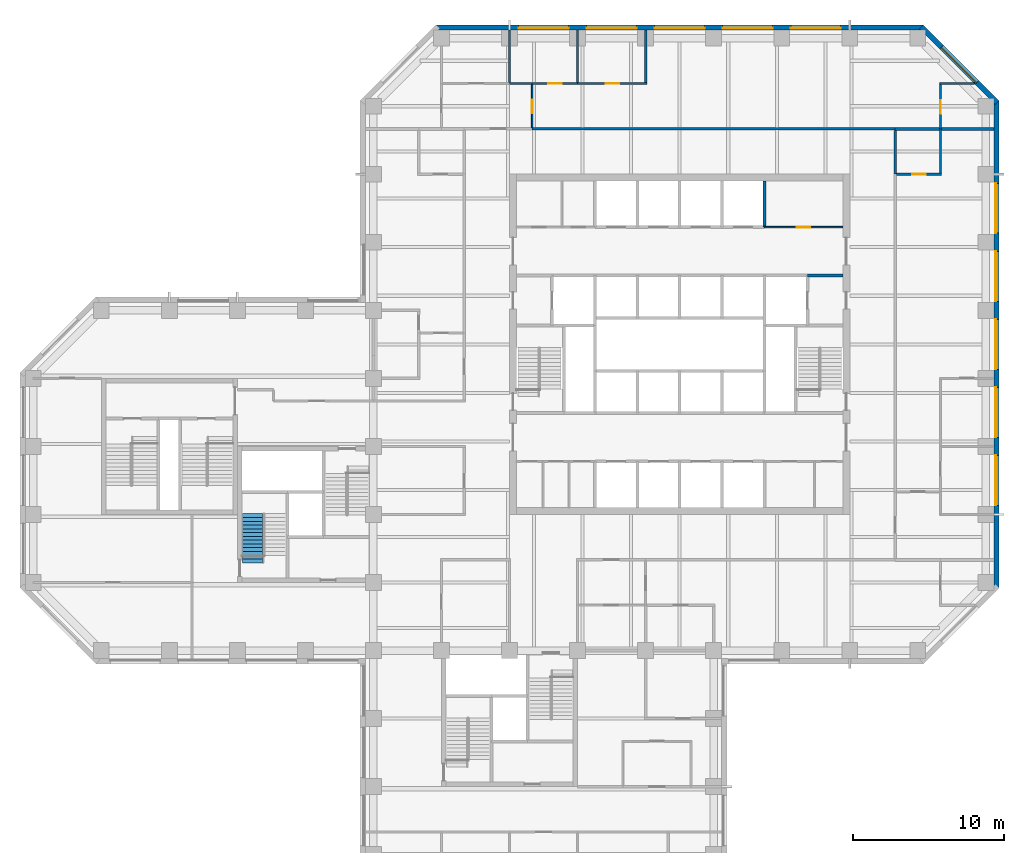
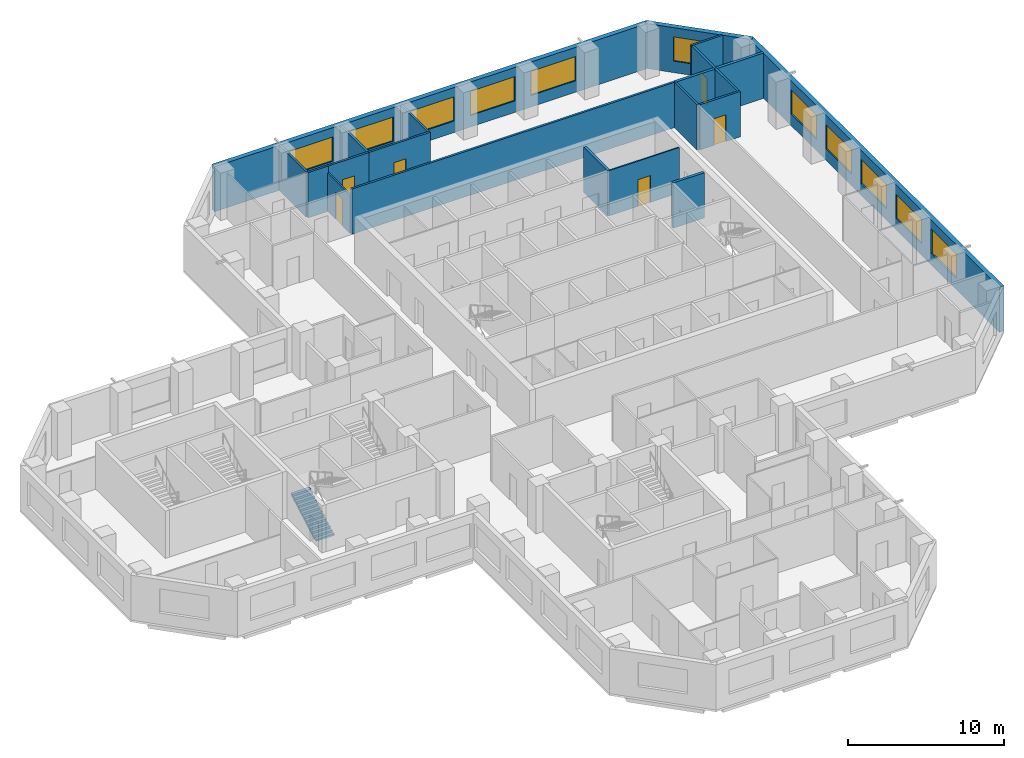
# One storey, part 9 of 11: 21 walls, 11 windows, 6 doors, 1 stair flight, 17 openings, 1 element without a shape of its own.
"""IFC4 building model written with IfcOpenShell, lengths in metres."""

from ifc_helpers import new_model, si_unit, direction, frame, frame_2d, origin, place, context, subcontext, project, spatial, polyline, rectangle, outline, extrude, material, layer, layer_set, constituent, constituent_set, type_object, element, fill, aggregate, save


model = new_model("IFC4")

# Units and contexts
model_context = context("Model", 3, precision=1e-05, world=origin(), true_north=direction((0.0, 1.0)))
body_context = subcontext(model_context, "Body", "Model", "MODEL_VIEW")
ifc_project = project(units=[si_unit("LENGTHUNIT", "METRE"), si_unit("AREAUNIT", "SQUARE_METRE"), si_unit("VOLUMEUNIT", "CUBIC_METRE"), si_unit("PLANEANGLEUNIT", "RADIAN"), si_unit("MASSUNIT", "GRAM", prefix="KILO")], contexts=[model_context])

# Site, building, storey
site_placement = place(None, origin())
site = spatial("IfcSite", under=ifc_project, at=site_placement, CompositionType="ELEMENT")
building_placement = place(site_placement, origin())
building = spatial("IfcBuilding", under=site, at=building_placement, Name="Quoin Convention Tower", CompositionType="ELEMENT")
storey_placement = place(building_placement, frame((0.0, 0.0, 78.89990234375)))
storey = spatial("IfcBuildingStorey", under=building, at=storey_placement, Name="L20", CompositionType="ELEMENT", Elevation=78.89990234375)

# Wall
ifc_material_1 = material(Name="Plasterboard")
ifc_layer_1 = layer(ifc_material_1, 0.012451171875, Name="Finish")
ifc_material_2 = material(Name="Steel stud framing", Category="steel")
ifc_layer_2 = layer(ifc_material_2, 0.125, Name="Structure")
ifc_layer_3 = layer(ifc_material_1, 0.012451171875, Name="Finish")
ifc_layer_set_1 = layer_set([ifc_layer_1, ifc_layer_2, ifc_layer_3], Name="Steel stud framing")
wall_type_1 = type_object("IfcWallType", Name="Acoustic partition 150", PredefinedType="PARTITIONING", material=ifc_layer_set_1)
wall_1_placement = place(storey_placement, frame((45.0, 78.0, 0.0), z_axis=(0.0, 0.0, 1.0), x_axis=(1.0, 0.0, 0.0)))
element("IfcWall", 1, at=wall_1_placement, inside=storey, type_object=wall_type_1, Name="pw-L20-059", PredefinedType="PARTITIONING", context=body_context, shape_type="SweptSolid", body=[
    extrude(rectangle(XDim=1.5, YDim=0.14990234375, at=frame_2d((0.75, 0.0))), origin(), (0.0, 0.0, 1.0), 3.550048828125),
])

# Wall, opening, door
wall_2_placement = place(storey_placement, frame((46.5, 78.0, 0.0), z_axis=(0.0, 0.0, 1.0), x_axis=(1.0, 0.0, 0.0)))
wall_2 = element("IfcWall", 2, at=wall_2_placement, inside=storey, type_object=wall_type_1, Name="pw-L20-060", PredefinedType="PARTITIONING", context=body_context, shape_type="SweptSolid", body=[
    extrude(rectangle(XDim=3.0, YDim=0.14990234375, at=frame_2d((1.5, 0.0))), origin(), (0.0, 0.0, 1.0), 3.550048828125),
])
opening_1_placement = place(wall_2_placement, frame((1.050048828125, 0.0, 0.0)))
opening_1 = element("IfcOpeningElement", 3, at=opening_1_placement, cuts=wall_2, Name="Opening DOL1-20", PredefinedType="OPENING", context=body_context, shape_type="SweptSolid", body=[
    extrude(rectangle(XDim=0.89990234375, YDim=2.10009765625, at=frame_2d((0.449951171875, 1.050048828125))), frame((0.0, 0.0849609375, 0.0), z_axis=(0.0, -1.0, 0.0), x_axis=(1.0, 0.0, 0.0)), (0.0, 0.0, 1.0), 0.169921875),
])
ifc_material_3 = material(Name="Steel door leaf", Category="steel")
door_type_1 = type_object("IfcDoorType", Name="Office door 900 x 2100", OperationType="SINGLE_SWING_RIGHT", PredefinedType="DOOR", material=ifc_material_3)
door_1_placement = place(opening_1_placement, frame((0.89990234375, 0.0, 0.0), z_axis=(0.0, 0.0, 1.0), x_axis=(-1.0, 0.0, 0.0)))
door_1 = element("IfcDoor", 4, at=door_1_placement, inside=storey, type_object=door_type_1, Name="dr-L20-38", OperationType="SINGLE_SWING_LEFT", OverallHeight=2.10009765625, OverallWidth=0.89990234375, PredefinedType="DOOR", context=body_context, shape_type="SweptSolid", body=[
    extrude(rectangle(XDim=0.89990234375, YDim=2.10009765625, at=frame_2d((0.449951171875, 1.050048828125))), frame((0.0, 0.02490234375, 0.0), z_axis=(0.0, -1.0, 0.0), x_axis=(1.0, 0.0, 0.0)), (0.0, 0.0, 1.0), 0.050048828125),
])
fill(opening_1, door_1)

wall_3_placement = place(storey_placement, frame((49.5, 78.0, 0.0), z_axis=(0.0, 0.0, 1.0), x_axis=(1.0, 0.0, 0.0)))
wall_3 = element("IfcWall", 5, at=wall_3_placement, inside=storey, type_object=wall_type_1, Name="pw-L20-061", PredefinedType="PARTITIONING", context=body_context, shape_type="SweptSolid", body=[
    extrude(rectangle(XDim=4.574951171875, YDim=0.14990234375, at=frame_2d((2.28759765625, 0.0))), origin(), (0.0, 0.0, 1.0), 3.550048828125),
])
opening_2_placement = place(wall_3_placement, frame((1.85009765625, 0.0, 0.0)))
opening_2 = element("IfcOpeningElement", 6, at=opening_2_placement, cuts=wall_3, Name="Opening DOL1-21", PredefinedType="OPENING", context=body_context, shape_type="SweptSolid", body=[
    extrude(rectangle(XDim=0.89990234375, YDim=2.10009765625, at=frame_2d((0.449951171875, 1.050048828125))), frame((0.0, 0.0849609375, 0.0), z_axis=(0.0, -1.0, 0.0), x_axis=(1.0, 0.0, 0.0)), (0.0, 0.0, 1.0), 0.169921875),
])
door_2_placement = place(opening_2_placement, frame((0.89990234375, 0.0, 0.0), z_axis=(0.0, 0.0, 1.0), x_axis=(-1.0, 0.0, 0.0)))
door_2 = element("IfcDoor", 7, at=door_2_placement, inside=storey, type_object=door_type_1, Name="dr-L20-39", OperationType="SINGLE_SWING_LEFT", OverallHeight=2.10009765625, OverallWidth=0.89990234375, PredefinedType="DOOR", context=body_context, shape_type="SweptSolid", body=[
    extrude(rectangle(XDim=0.89990234375, YDim=2.10009765625, at=frame_2d((0.449951171875, 1.050048828125))), frame((0.0, 0.02490234375, 0.0), z_axis=(0.0, -1.0, 0.0), x_axis=(1.0, 0.0, 0.0)), (0.0, 0.0, 1.0), 0.050048828125),
])
fill(opening_2, door_2)

# Walls
for number, where, z_axis, x_axis, name in (
    (8, (45.0, 78.074951171875, 0.0), (0.0, 0.0, 1.0), (0.0, 1.0, 0.0), "pw-L20-117"),
    (9, (49.5, 78.074951171875, 0.0), (0.0, 0.0, 1.0), (0.0, 1.0, 0.0), "pw-L20-118"),
    (10, (54.0, 78.074951171875, 0.0), (0.0, 0.0, 1.0), (0.0, 1.0, 0.0), "pw-L20-119"),
):
    element("IfcWall", number, at=place(storey_placement, frame(where, z_axis=z_axis, x_axis=x_axis)), inside=storey, type_object=wall_type_1, Name=name, PredefinedType="PARTITIONING", context=body_context, shape_type="SweptSolid", body=[
        extrude(rectangle(XDim=3.449951171875, YDim=0.14990234375, at=frame_2d((1.72509765625, 0.0))), origin(), (0.0, 0.0, 1.0), 3.550048828125),
    ])

# Wall, openings, windows
ifc_material_4 = material(Name="Brick masonry", Category="masonry")
ifc_layer_4 = layer(ifc_material_4, 0.35009765625)
ifc_layer_set_2 = layer_set([ifc_layer_4], Name="Brick masonry")
wall_type_2 = type_object("IfcWallType", Name="Brick facade wall", PredefinedType="STANDARD", material=ifc_layer_set_2)
wall_4_placement = place(storey_placement, frame((77.199951171875, 44.6376953125, 0.0), z_axis=(0.0, 0.0, 1.0), x_axis=(0.0, 1.0, 0.0)))
wall_4 = element("IfcWall", 11, at=wall_4_placement, inside=storey, type_object=wall_type_2, Name="fw-L20-76500_45000", PredefinedType="STANDARD", context=body_context, shape_type="SweptSolid", body=[
    extrude(rectangle(XDim=32.224609375, YDim=0.35009765625, at=frame_2d((16.1123046875, 0.0))), origin(), (0.0, 0.0, 1.0), 3.525146484375),
])
opening_3_placement = place(wall_4_placement, frame((5.46240234375, 0.0, 0.89990234375)))
opening_3 = element("IfcOpeningElement", 12, at=opening_3_placement, cuts=wall_4, Name="Opening W-02", PredefinedType="OPENING", context=body_context, shape_type="SweptSolid", body=[
    extrude(rectangle(XDim=3.300048828125, YDim=1.89990234375, at=frame_2d((1.64990234375, 0.949951171875))), frame((0.0, 0.18505859375, 0.0), z_axis=(0.0, -1.0, 0.0), x_axis=(1.0, 0.0, 0.0)), (0.0, 0.0, 1.0), 0.3701171875),
])
opening_4_placement = place(wall_4_placement, frame((9.96240234375, 0.0, 0.89990234375)))
opening_4 = element("IfcOpeningElement", 13, at=opening_4_placement, cuts=wall_4, Name="Opening W-02", PredefinedType="OPENING", context=body_context, shape_type="SweptSolid", body=[
    extrude(rectangle(XDim=3.300048828125, YDim=1.89990234375, at=frame_2d((1.64990234375, 0.949951171875))), frame((0.0, 0.18505859375, 0.0), z_axis=(0.0, -1.0, 0.0), x_axis=(1.0, 0.0, 0.0)), (0.0, 0.0, 1.0), 0.3701171875),
])
opening_5_placement = place(wall_4_placement, frame((14.46240234375, 0.0, 0.89990234375)))
opening_5 = element("IfcOpeningElement", 14, at=opening_5_placement, cuts=wall_4, Name="Opening W-02", PredefinedType="OPENING", context=body_context, shape_type="SweptSolid", body=[
    extrude(rectangle(XDim=3.300048828125, YDim=1.89990234375, at=frame_2d((1.64990234375, 0.949951171875))), frame((0.0, 0.18505859375, 0.0), z_axis=(0.0, -1.0, 0.0), x_axis=(1.0, 0.0, 0.0)), (0.0, 0.0, 1.0), 0.3701171875),
])
opening_6_placement = place(wall_4_placement, frame((18.96240234375, 0.0, 0.89990234375)))
opening_6 = element("IfcOpeningElement", 15, at=opening_6_placement, cuts=wall_4, Name="Opening W-02", PredefinedType="OPENING", context=body_context, shape_type="SweptSolid", body=[
    extrude(rectangle(XDim=3.300048828125, YDim=1.89990234375, at=frame_2d((1.64990234375, 0.949951171875))), frame((0.0, 0.18505859375, 0.0), z_axis=(0.0, -1.0, 0.0), x_axis=(1.0, 0.0, 0.0)), (0.0, 0.0, 1.0), 0.3701171875),
])
opening_7_placement = place(wall_4_placement, frame((23.46240234375, 0.0, 0.89990234375)))
opening_7 = element("IfcOpeningElement", 16, at=opening_7_placement, cuts=wall_4, Name="Opening W-02", PredefinedType="OPENING", context=body_context, shape_type="SweptSolid", body=[
    extrude(rectangle(XDim=3.300048828125, YDim=1.89990234375, at=frame_2d((1.64990234375, 0.949951171875))), frame((0.0, 0.18505859375, 0.0), z_axis=(0.0, -1.0, 0.0), x_axis=(1.0, 0.0, 0.0)), (0.0, 0.0, 1.0), 0.3701171875),
])
ifc_material_5 = material(Name="Aluminium", Category="aluminium")
ifc_constituent_1 = constituent(ifc_material_5, Name="Frame")
ifc_material_6 = material(Name="Insulated glass", Category="glass")
ifc_constituent_2 = constituent(ifc_material_6, Name="Glazing")
ifc_constituent_set = constituent_set(constituents=[ifc_constituent_1, ifc_constituent_2], Name="Aluminium")
window_type = type_object("IfcWindowType", Name="Office window", PartitioningType="DOUBLE_PANEL_VERTICAL", PredefinedType="WINDOW", material=ifc_constituent_set)
window_1_placement = place(opening_3_placement, origin())
window_1 = element("IfcWindow", 17, at=window_1_placement, inside=storey, type_object=window_type, Name="win-L20-77200_51750", OverallHeight=1.89990234375, OverallWidth=3.300048828125, PartitioningType="SINGLE_PANEL", PredefinedType="WINDOW", context=body_context, shape_type="SweptSolid", body=[
    extrude(rectangle(XDim=3.300048828125, YDim=1.89990234375, at=frame_2d((1.64990234375, 0.949951171875))), frame((0.0, 0.0849609375, 0.0), z_axis=(0.0, -1.0, 0.0), x_axis=(1.0, 0.0, 0.0)), (0.0, 0.0, 1.0), 0.06005859375),
])
fill(opening_3, window_1)
window_2_placement = place(opening_4_placement, origin())
window_2 = element("IfcWindow", 18, at=window_2_placement, inside=storey, type_object=window_type, Name="win-L20-77200_56250", OverallHeight=1.89990234375, OverallWidth=3.300048828125, PartitioningType="SINGLE_PANEL", PredefinedType="WINDOW", context=body_context, shape_type="SweptSolid", body=[
    extrude(rectangle(XDim=3.300048828125, YDim=1.89990234375, at=frame_2d((1.64990234375, 0.949951171875))), frame((0.0, 0.0849609375, 0.0), z_axis=(0.0, -1.0, 0.0), x_axis=(1.0, 0.0, 0.0)), (0.0, 0.0, 1.0), 0.06005859375),
])
fill(opening_4, window_2)
window_3_placement = place(opening_5_placement, origin())
window_3 = element("IfcWindow", 19, at=window_3_placement, inside=storey, type_object=window_type, Name="win-L20-77200_60750", OverallHeight=1.89990234375, OverallWidth=3.300048828125, PartitioningType="SINGLE_PANEL", PredefinedType="WINDOW", context=body_context, shape_type="SweptSolid", body=[
    extrude(rectangle(XDim=3.300048828125, YDim=1.89990234375, at=frame_2d((1.64990234375, 0.949951171875))), frame((0.0, 0.0849609375, 0.0), z_axis=(0.0, -1.0, 0.0), x_axis=(1.0, 0.0, 0.0)), (0.0, 0.0, 1.0), 0.06005859375),
])
fill(opening_5, window_3)
window_4_placement = place(opening_6_placement, origin())
window_4 = element("IfcWindow", 20, at=window_4_placement, inside=storey, type_object=window_type, Name="win-L20-77200_65250", OverallHeight=1.89990234375, OverallWidth=3.300048828125, PartitioningType="SINGLE_PANEL", PredefinedType="WINDOW", context=body_context, shape_type="SweptSolid", body=[
    extrude(rectangle(XDim=3.300048828125, YDim=1.89990234375, at=frame_2d((1.64990234375, 0.949951171875))), frame((0.0, 0.0849609375, 0.0), z_axis=(0.0, -1.0, 0.0), x_axis=(1.0, 0.0, 0.0)), (0.0, 0.0, 1.0), 0.06005859375),
])
fill(opening_6, window_4)
window_5_placement = place(opening_7_placement, origin())
window_5 = element("IfcWindow", 21, at=window_5_placement, inside=storey, type_object=window_type, Name="win-L20-77200_69750", OverallHeight=1.89990234375, OverallWidth=3.300048828125, PartitioningType="SINGLE_PANEL", PredefinedType="WINDOW", context=body_context, shape_type="SweptSolid", body=[
    extrude(rectangle(XDim=3.300048828125, YDim=1.89990234375, at=frame_2d((1.64990234375, 0.949951171875))), frame((0.0, 0.0849609375, 0.0), z_axis=(0.0, -1.0, 0.0), x_axis=(1.0, 0.0, 0.0)), (0.0, 0.0, 1.0), 0.06005859375),
])
fill(opening_7, window_5)

# Wall, opening, window
wall_5_placement = place(storey_placement, frame((77.251220703125, 76.73876953125, 0.0), z_axis=(0.0, 0.0, 1.0), x_axis=(-0.707106781187, 0.707106781187, 0.0)))
wall_5 = element("IfcWall", 22, at=wall_5_placement, inside=storey, type_object=wall_type_2, Name="fw-L20-76500_76500", PredefinedType="STANDARD", context=body_context, shape_type="SweptSolid", body=[
    extrude(rectangle(XDim=7.088623046875, YDim=0.35009765625, at=frame_2d((3.54443359375, 0.0))), origin(), (0.0, 0.0, 1.0), 3.525146484375),
])
opening_8_placement = place(wall_5_placement, frame((1.894287109375, 0.0, 0.89990234375)))
opening_8 = element("IfcOpeningElement", 23, at=opening_8_placement, cuts=wall_5, Name="Opening W-02", PredefinedType="OPENING", context=body_context, shape_type="SweptSolid", body=[
    extrude(rectangle(XDim=3.300048828125, YDim=1.89990234375, at=frame_2d((1.64990234375, 0.949951171875))), frame((0.0, 0.18505859375, 0.0), z_axis=(0.0, -1.0, 0.0), x_axis=(1.0, 0.0, 0.0)), (0.0, 0.0, 1.0), 0.3701171875),
])
window_6_placement = place(opening_8_placement, origin())
window_6 = element("IfcWindow", 24, at=window_6_placement, inside=storey, type_object=window_type, Name="win-L20-74745_79245", OverallHeight=1.89990234375, OverallWidth=3.300048828125, PartitioningType="SINGLE_PANEL", PredefinedType="WINDOW", context=body_context, shape_type="SweptSolid", body=[
    extrude(rectangle(XDim=3.300048828125, YDim=1.89990234375, at=frame_2d((1.64990234375, 0.949951171875))), frame((0.0, 0.0849609375, 0.0), z_axis=(0.0, -1.0, 0.0), x_axis=(1.0, 0.0, 0.0)), (0.0, 0.0, 1.0), 0.06005859375),
])
fill(opening_8, window_6)

# Wall, openings, windows
wall_6_placement = place(storey_placement, frame((72.3623046875, 81.699951171875, 0.0), z_axis=(0.0, 0.0, 1.0), x_axis=(-1.0, 0.0, 0.0)))
wall_6 = element("IfcWall", 25, at=wall_6_placement, inside=storey, type_object=wall_type_2, Name="fw-L20-72000_81000", PredefinedType="STANDARD", context=body_context, shape_type="SweptSolid", body=[
    extrude(rectangle(XDim=32.224609375, YDim=0.35009765625, at=frame_2d((16.1123046875, 0.0))), origin(), (0.0, 0.0, 1.0), 3.525146484375),
])
opening_9_placement = place(wall_6_placement, frame((5.46240234375, 0.0, 0.89990234375)))
opening_9 = element("IfcOpeningElement", 26, at=opening_9_placement, cuts=wall_6, Name="Opening W-02", PredefinedType="OPENING", context=body_context, shape_type="SweptSolid", body=[
    extrude(rectangle(XDim=3.300048828125, YDim=1.89990234375, at=frame_2d((1.64990234375, 0.949951171875))), frame((0.0, 0.18505859375, 0.0), z_axis=(0.0, -1.0, 0.0), x_axis=(1.0, 0.0, 0.0)), (0.0, 0.0, 1.0), 0.3701171875),
])
opening_10_placement = place(wall_6_placement, frame((9.96240234375, 0.0, 0.89990234375)))
opening_10 = element("IfcOpeningElement", 27, at=opening_10_placement, cuts=wall_6, Name="Opening W-02", PredefinedType="OPENING", context=body_context, shape_type="SweptSolid", body=[
    extrude(rectangle(XDim=3.300048828125, YDim=1.89990234375, at=frame_2d((1.64990234375, 0.949951171875))), frame((0.0, 0.18505859375, 0.0), z_axis=(0.0, -1.0, 0.0), x_axis=(1.0, 0.0, 0.0)), (0.0, 0.0, 1.0), 0.3701171875),
])
opening_11_placement = place(wall_6_placement, frame((14.46240234375, 0.0, 0.89990234375)))
opening_11 = element("IfcOpeningElement", 28, at=opening_11_placement, cuts=wall_6, Name="Opening W-02", PredefinedType="OPENING", context=body_context, shape_type="SweptSolid", body=[
    extrude(rectangle(XDim=3.300048828125, YDim=1.89990234375, at=frame_2d((1.64990234375, 0.949951171875))), frame((0.0, 0.18505859375, 0.0), z_axis=(0.0, -1.0, 0.0), x_axis=(1.0, 0.0, 0.0)), (0.0, 0.0, 1.0), 0.3701171875),
])
opening_12_placement = place(wall_6_placement, frame((18.96240234375, 0.0, 0.89990234375)))
opening_12 = element("IfcOpeningElement", 29, at=opening_12_placement, cuts=wall_6, Name="Opening W-02", PredefinedType="OPENING", context=body_context, shape_type="SweptSolid", body=[
    extrude(rectangle(XDim=3.300048828125, YDim=1.89990234375, at=frame_2d((1.64990234375, 0.949951171875))), frame((0.0, 0.18505859375, 0.0), z_axis=(0.0, -1.0, 0.0), x_axis=(1.0, 0.0, 0.0)), (0.0, 0.0, 1.0), 0.3701171875),
])
opening_13_placement = place(wall_6_placement, frame((23.46240234375, 0.0, 0.89990234375)))
opening_13 = element("IfcOpeningElement", 30, at=opening_13_placement, cuts=wall_6, Name="Opening W-02", PredefinedType="OPENING", context=body_context, shape_type="SweptSolid", body=[
    extrude(rectangle(XDim=3.300048828125, YDim=1.89990234375, at=frame_2d((1.64990234375, 0.949951171875))), frame((0.0, 0.18505859375, 0.0), z_axis=(0.0, -1.0, 0.0), x_axis=(1.0, 0.0, 0.0)), (0.0, 0.0, 1.0), 0.3701171875),
])
window_7_placement = place(opening_9_placement, origin())
window_7 = element("IfcWindow", 31, at=window_7_placement, inside=storey, type_object=window_type, Name="win-L20-65250_81700", OverallHeight=1.89990234375, OverallWidth=3.300048828125, PartitioningType="SINGLE_PANEL", PredefinedType="WINDOW", context=body_context, shape_type="SweptSolid", body=[
    extrude(rectangle(XDim=3.300048828125, YDim=1.89990234375, at=frame_2d((1.64990234375, 0.949951171875))), frame((0.0, 0.0849609375, 0.0), z_axis=(0.0, -1.0, 0.0), x_axis=(1.0, 0.0, 0.0)), (0.0, 0.0, 1.0), 0.06005859375),
])
fill(opening_9, window_7)
window_8_placement = place(opening_10_placement, origin())
window_8 = element("IfcWindow", 32, at=window_8_placement, inside=storey, type_object=window_type, Name="win-L20-60750_81700", OverallHeight=1.89990234375, OverallWidth=3.300048828125, PartitioningType="SINGLE_PANEL", PredefinedType="WINDOW", context=body_context, shape_type="SweptSolid", body=[
    extrude(rectangle(XDim=3.300048828125, YDim=1.89990234375, at=frame_2d((1.64990234375, 0.949951171875))), frame((0.0, 0.0849609375, 0.0), z_axis=(0.0, -1.0, 0.0), x_axis=(1.0, 0.0, 0.0)), (0.0, 0.0, 1.0), 0.06005859375),
])
fill(opening_10, window_8)
window_9_placement = place(opening_11_placement, origin())
window_9 = element("IfcWindow", 33, at=window_9_placement, inside=storey, type_object=window_type, Name="win-L20-56250_81700", OverallHeight=1.89990234375, OverallWidth=3.300048828125, PartitioningType="SINGLE_PANEL", PredefinedType="WINDOW", context=body_context, shape_type="SweptSolid", body=[
    extrude(rectangle(XDim=3.300048828125, YDim=1.89990234375, at=frame_2d((1.64990234375, 0.949951171875))), frame((0.0, 0.0849609375, 0.0), z_axis=(0.0, -1.0, 0.0), x_axis=(1.0, 0.0, 0.0)), (0.0, 0.0, 1.0), 0.06005859375),
])
fill(opening_11, window_9)
window_10_placement = place(opening_12_placement, origin())
window_10 = element("IfcWindow", 34, at=window_10_placement, inside=storey, type_object=window_type, Name="win-L20-51750_81700", OverallHeight=1.89990234375, OverallWidth=3.300048828125, PartitioningType="SINGLE_PANEL", PredefinedType="WINDOW", context=body_context, shape_type="SweptSolid", body=[
    extrude(rectangle(XDim=3.300048828125, YDim=1.89990234375, at=frame_2d((1.64990234375, 0.949951171875))), frame((0.0, 0.0849609375, 0.0), z_axis=(0.0, -1.0, 0.0), x_axis=(1.0, 0.0, 0.0)), (0.0, 0.0, 1.0), 0.06005859375),
])
fill(opening_12, window_10)
window_11_placement = place(opening_13_placement, origin())
window_11 = element("IfcWindow", 35, at=window_11_placement, inside=storey, type_object=window_type, Name="win-L20-47250_81700", OverallHeight=1.89990234375, OverallWidth=3.300048828125, PartitioningType="SINGLE_PANEL", PredefinedType="WINDOW", context=body_context, shape_type="SweptSolid", body=[
    extrude(rectangle(XDim=3.300048828125, YDim=1.89990234375, at=frame_2d((1.64990234375, 0.949951171875))), frame((0.0, 0.0849609375, 0.0), z_axis=(0.0, -1.0, 0.0), x_axis=(1.0, 0.0, 0.0)), (0.0, 0.0, 1.0), 0.06005859375),
])
fill(opening_13, window_11)

# Wall, opening, door
ifc_layer_5 = layer(ifc_material_1, 0.012451171875, Name="Finish")
ifc_layer_6 = layer(ifc_material_2, 0.074951171875, Name="Structure")
ifc_layer_7 = layer(ifc_material_1, 0.012451171875, Name="Finish")
ifc_layer_set_3 = layer_set([ifc_layer_5, ifc_layer_6, ifc_layer_7], Name="Steel stud framing")
wall_type_3 = type_object("IfcWallType", Name="Core partition wall", PredefinedType="PARTITIONING", material=ifc_layer_set_3)
wall_7_placement = place(storey_placement, frame((61.85009765625, 68.5, 0.0), z_axis=(0.0, 0.0, 1.0), x_axis=(1.0, 0.0, 0.0)))
wall_7 = element("IfcWall", 36, at=wall_7_placement, inside=storey, type_object=wall_type_3, Name="cr-C1-L20-h19000_16850", PredefinedType="PARTITIONING", context=body_context, shape_type="SweptSolid", body=[
    extrude(rectangle(XDim=5.199951171875, YDim=0.10009765625, at=frame_2d((2.60009765625, 0.0))), origin(), (0.0, 0.0, 1.0), 3.550048828125),
])
opening_14_placement = place(wall_7_placement, frame((2.14990234375, 0.0, 0.0)))
opening_14 = element("IfcOpeningElement", 37, at=opening_14_placement, cuts=wall_7, Name="Opening DCV1-03", PredefinedType="OPENING", context=body_context, shape_type="SweptSolid", body=[
    extrude(rectangle(XDim=0.89990234375, YDim=2.10009765625, at=frame_2d((0.449951171875, 1.050048828125))), frame((0.0, 0.06005859375, 0.0), z_axis=(0.0, -1.0, 0.0), x_axis=(1.0, 0.0, 0.0)), (0.0, 0.0, 1.0), 0.1201171875),
])
door_type_2 = type_object("IfcDoorType", Name="Core room door 900 x 2100", OperationType="SINGLE_SWING_LEFT", PredefinedType="DOOR", material=ifc_material_3)
door_3_placement = place(opening_14_placement, origin())
door_3 = element("IfcDoor", 38, at=door_3_placement, inside=storey, type_object=door_type_2, Name="cd-C1-L20-CNE0-lobB-CD2007", OperationType="SINGLE_SWING_LEFT", OverallHeight=2.10009765625, OverallWidth=0.89990234375, PredefinedType="DOOR", context=body_context, shape_type="SweptSolid", body=[
    extrude(rectangle(XDim=0.89990234375, YDim=2.10009765625, at=frame_2d((0.449951171875, 1.050048828125))), frame((0.0, 0.02490234375, 0.0), z_axis=(0.0, -1.0, 0.0), x_axis=(1.0, 0.0, 0.0)), (0.0, 0.0, 1.0), 0.050048828125),
])
fill(opening_14, door_3)

# Walls
ifc_material_7 = material(Name="Concrete C50", Category="concrete")
ifc_layer_8 = layer(ifc_material_7, 0.199951171875)
ifc_layer_set_4 = layer_set([ifc_layer_8], Name="Concrete C50")
wall_type_4 = type_object("IfcWallType", Name="Core shaft wall", PredefinedType="SOLIDWALL", material=ifc_layer_set_4)
wall_8_placement = place(storey_placement, frame((64.699951171875, 65.300048828125, 0.0), z_axis=(0.0, 0.0, 1.0), x_axis=(1.0, 0.0, 0.0)))
element("IfcWall", 39, at=wall_8_placement, inside=storey, type_object=wall_type_4, Name="cr-C1-L20-h15800_19700", PredefinedType="SOLIDWALL", context=body_context, shape_type="SweptSolid", body=[
    extrude(rectangle(XDim=2.35009765625, YDim=0.199951171875, at=frame_2d((1.175048828125, 0.0))), origin(), (0.0, 0.0, 1.0), 3.550048828125),
])
wall_9_placement = place(storey_placement, frame((61.85009765625, 68.5, 0.0), z_axis=(0.0, 0.0, 1.0), x_axis=(0.0, 1.0, 0.0)))
element("IfcWall", 40, at=wall_9_placement, inside=storey, type_object=wall_type_4, Name="cr-C1-L20-v16850_19000", PredefinedType="SOLIDWALL", context=body_context, shape_type="SweptSolid", body=[
    extrude(rectangle(XDim=3.050048828125, YDim=0.199951171875, at=frame_2d((1.52490234375, 0.0))), origin(), (0.0, 0.0, 1.0), 3.550048828125),
])
ifc_layer_9 = layer(ifc_material_1, 0.012451171875, Name="Finish")
ifc_layer_10 = layer(ifc_material_2, 0.125, Name="Structure")
ifc_layer_11 = layer(ifc_material_1, 0.012451171875, Name="Finish")
ifc_layer_set_5 = layer_set([ifc_layer_9, ifc_layer_10, ifc_layer_11], Name="Steel stud framing")
wall_type_5 = type_object("IfcWallType", Name="Corridor wall 150", PredefinedType="PARTITIONING", material=ifc_layer_set_5)
wall_10_placement = place(storey_placement, frame((46.5, 75.0, 0.0), z_axis=(0.0, 0.0, 1.0), x_axis=(1.0, 0.0, 0.0)))
element("IfcWall", 41, at=wall_10_placement, inside=storey, type_object=wall_type_5, Name="pw-L20-055", PredefinedType="PARTITIONING", context=body_context, shape_type="SweptSolid", body=[
    extrude(rectangle(XDim=24.0, YDim=0.14990234375, at=frame_2d((12.0, 0.0))), origin(), (0.0, 0.0, 1.0), 3.550048828125),
])
wall_11_placement = place(storey_placement, frame((70.5, 72.0, 0.0), z_axis=(0.0, 0.0, 1.0), x_axis=(0.0, 1.0, 0.0)))
element("IfcWall", 42, at=wall_11_placement, inside=storey, type_object=wall_type_5, Name="pw-L20-110", PredefinedType="PARTITIONING", context=body_context, shape_type="SweptSolid", body=[
    extrude(rectangle(XDim=2.89990234375, YDim=0.14990234375, at=frame_2d((1.449951171875, 0.0))), origin(), (0.0, 0.0, 1.0), 3.550048828125),
])

# Wall, opening, door
ifc_layer_12 = layer(ifc_material_1, 0.012451171875, Name="Finish")
ifc_layer_13 = layer(ifc_material_2, 0.074951171875, Name="Structure")
ifc_layer_14 = layer(ifc_material_1, 0.012451171875, Name="Finish")
ifc_layer_set_6 = layer_set([ifc_layer_12, ifc_layer_13, ifc_layer_14], Name="Steel stud framing")
wall_type_6 = type_object("IfcWallType", Name="Stud partition 100 under beam 528", PredefinedType="PARTITIONING", material=ifc_layer_set_6)
wall_12_placement = place(storey_placement, frame((46.5, 75.074951171875, 0.0), z_axis=(0.0, 0.0, 1.0), x_axis=(0.0, 1.0, 0.0)))
wall_12 = element("IfcWall", 43, at=wall_12_placement, inside=storey, type_object=wall_type_6, Name="pw-L20-114", PredefinedType="PARTITIONING", context=body_context, shape_type="SweptSolid", body=[
    extrude(rectangle(XDim=2.85009765625, YDim=0.10009765625, at=frame_2d((1.425048828125, 0.0))), origin(), (0.0, 0.0, 1.0), 3.022216796875),
])
opening_15_placement = place(wall_12_placement, frame((0.949951171875, 0.0, 0.0)))
opening_15 = element("IfcOpeningElement", 44, at=opening_15_placement, cuts=wall_12, Name="Opening DOL1-33", PredefinedType="OPENING", context=body_context, shape_type="SweptSolid", body=[
    extrude(rectangle(XDim=0.89990234375, YDim=2.10009765625, at=frame_2d((0.449951171875, 1.050048828125))), frame((0.0, 0.06005859375, 0.0), z_axis=(0.0, -1.0, 0.0), x_axis=(1.0, 0.0, 0.0)), (0.0, 0.0, 1.0), 0.1201171875),
])
door_4_placement = place(opening_15_placement, frame((0.89990234375, 0.0, 0.0), z_axis=(0.0, 0.0, 1.0), x_axis=(-1.0, 0.0, 0.0)))
door_4 = element("IfcDoor", 45, at=door_4_placement, inside=storey, type_object=door_type_1, Name="dr-L20-34", OperationType="SINGLE_SWING_LEFT", OverallHeight=2.10009765625, OverallWidth=0.89990234375, PredefinedType="DOOR", context=body_context, shape_type="SweptSolid", body=[
    extrude(rectangle(XDim=0.89990234375, YDim=2.10009765625, at=frame_2d((0.449951171875, 1.050048828125))), frame((0.0, 0.02490234375, 0.0), z_axis=(0.0, -1.0, 0.0), x_axis=(1.0, 0.0, 0.0)), (0.0, 0.0, 1.0), 0.050048828125),
])
fill(opening_15, door_4)

# Walls
ifc_layer_15 = layer(ifc_material_1, 0.012451171875, Name="Finish")
ifc_layer_16 = layer(ifc_material_2, 0.175048828125, Name="Structure")
ifc_layer_17 = layer(ifc_material_1, 0.012451171875, Name="Finish")
ifc_layer_set_7 = layer_set([ifc_layer_15, ifc_layer_16, ifc_layer_17], Name="Steel stud framing")
wall_type_7 = type_object("IfcWallType", Name="Tenancy demising wall 200", PredefinedType="PARTITIONING", material=ifc_layer_set_7)
wall_13_placement = place(storey_placement, frame((70.5, 75.0, 0.0), z_axis=(0.0, 0.0, 1.0), x_axis=(1.0, 0.0, 0.0)))
element("IfcWall", 46, at=wall_13_placement, inside=storey, type_object=wall_type_7, Name="pw-L20-056", PredefinedType="PARTITIONING", context=body_context, shape_type="SweptSolid", body=[
    extrude(rectangle(XDim=2.925048828125, YDim=0.199951171875, at=frame_2d((1.46240234375, 0.0))), origin(), (0.0, 0.0, 1.0), 3.550048828125),
])
wall_14_placement = place(storey_placement, frame((73.574951171875, 75.0, 0.0), z_axis=(0.0, 0.0, 1.0), x_axis=(1.0, 0.0, 0.0)))
element("IfcWall", 47, at=wall_14_placement, inside=storey, type_object=wall_type_7, Name="pw-L20-057", PredefinedType="PARTITIONING", context=body_context, shape_type="SweptSolid", body=[
    extrude(rectangle(XDim=3.449951171875, YDim=0.199951171875, at=frame_2d((1.72509765625, 0.0))), origin(), (0.0, 0.0, 1.0), 3.550048828125),
])

# Wall, opening, door
ifc_layer_18 = layer(ifc_material_1, 0.012451171875, Name="Finish")
ifc_layer_19 = layer(ifc_material_2, 0.125, Name="Structure")
ifc_layer_20 = layer(ifc_material_1, 0.012451171875, Name="Finish")
ifc_layer_set_8 = layer_set([ifc_layer_18, ifc_layer_19, ifc_layer_20], Name="Steel stud framing")
wall_type_8 = type_object("IfcWallType", Name="Wet area partition 150", PredefinedType="PARTITIONING", material=ifc_layer_set_8)
wall_15_placement = place(storey_placement, frame((70.574951171875, 72.0, 0.0), z_axis=(0.0, 0.0, 1.0), x_axis=(1.0, 0.0, 0.0)))
wall_15 = element("IfcWall", 48, at=wall_15_placement, inside=storey, type_object=wall_type_8, Name="pw-L20-050", PredefinedType="PARTITIONING", context=body_context, shape_type="SweptSolid", body=[
    extrude(rectangle(XDim=3.0, YDim=0.14990234375, at=frame_2d((1.5, 0.0))), origin(), (0.0, 0.0, 1.0), 3.550048828125),
])
opening_16_placement = place(wall_15_placement, frame((1.050048828125, 0.0, 0.0)))
opening_16 = element("IfcOpeningElement", 49, at=opening_16_placement, cuts=wall_15, Name="Opening DOL1-17", PredefinedType="OPENING", context=body_context, shape_type="SweptSolid", body=[
    extrude(rectangle(XDim=0.89990234375, YDim=2.10009765625, at=frame_2d((0.449951171875, 1.050048828125))), frame((0.0, 0.0849609375, 0.0), z_axis=(0.0, -1.0, 0.0), x_axis=(1.0, 0.0, 0.0)), (0.0, 0.0, 1.0), 0.169921875),
])
door_5_placement = place(opening_16_placement, frame((0.89990234375, 0.0, 0.0), z_axis=(0.0, 0.0, 1.0), x_axis=(-1.0, 0.0, 0.0)))
door_5 = element("IfcDoor", 50, at=door_5_placement, inside=storey, type_object=door_type_1, Name="dr-L20-32", OperationType="SINGLE_SWING_LEFT", OverallHeight=2.10009765625, OverallWidth=0.89990234375, PredefinedType="DOOR", context=body_context, shape_type="SweptSolid", body=[
    extrude(rectangle(XDim=0.89990234375, YDim=2.10009765625, at=frame_2d((0.449951171875, 1.050048828125))), frame((0.0, 0.02490234375, 0.0), z_axis=(0.0, -1.0, 0.0), x_axis=(1.0, 0.0, 0.0)), (0.0, 0.0, 1.0), 0.050048828125),
])
fill(opening_16, door_5)

# Walls
wall_16_placement = place(storey_placement, frame((73.425048828125, 78.0, 0.0), z_axis=(0.0, 0.0, 1.0), x_axis=(1.0, 0.0, 0.0)))
element("IfcWall", 51, at=wall_16_placement, inside=storey, type_object=wall_type_8, Name="pw-L20-062", PredefinedType="PARTITIONING", context=body_context, shape_type="SweptSolid", body=[
    extrude(rectangle(XDim=2.3173828125, YDim=0.14990234375, at=frame_2d((1.15869140625, 0.0))), origin(), (0.0, 0.0, 1.0), 3.550048828125),
])
wall_17_placement = place(storey_placement, frame((73.5, 72.074951171875, 0.0), z_axis=(0.0, 0.0, 1.0), x_axis=(0.0, 1.0, 0.0)))
element("IfcWall", 52, at=wall_17_placement, inside=storey, type_object=wall_type_8, Name="pw-L20-112", PredefinedType="PARTITIONING", context=body_context, shape_type="SweptSolid", body=[
    extrude(rectangle(XDim=2.925048828125, YDim=0.14990234375, at=frame_2d((1.46240234375, 0.0))), origin(), (0.0, 0.0, 1.0), 3.550048828125),
])

# Wall, opening, door
wall_18_placement = place(storey_placement, frame((73.5, 75.0, 0.0), z_axis=(0.0, 0.0, 1.0), x_axis=(0.0, 1.0, 0.0)))
wall_18 = element("IfcWall", 53, at=wall_18_placement, inside=storey, type_object=wall_type_8, Name="pw-L20-113", PredefinedType="PARTITIONING", context=body_context, shape_type="SweptSolid", body=[
    extrude(rectangle(XDim=2.925048828125, YDim=0.14990234375, at=frame_2d((1.46240234375, 0.0))), origin(), (0.0, 0.0, 1.0), 3.550048828125),
])
opening_17_placement = place(wall_18_placement, frame((1.0, 0.0, 0.0)))
opening_17 = element("IfcOpeningElement", 54, at=opening_17_placement, cuts=wall_18, Name="Opening DOL1-32", PredefinedType="OPENING", context=body_context, shape_type="SweptSolid", body=[
    extrude(rectangle(XDim=0.89990234375, YDim=2.10009765625, at=frame_2d((0.449951171875, 1.050048828125))), frame((0.0, 0.0849609375, 0.0), z_axis=(0.0, -1.0, 0.0), x_axis=(1.0, 0.0, 0.0)), (0.0, 0.0, 1.0), 0.169921875),
])
door_6_placement = place(opening_17_placement, origin())
door_6 = element("IfcDoor", 55, at=door_6_placement, inside=storey, type_object=door_type_1, Name="dr-L20-37", OperationType="SINGLE_SWING_LEFT", OverallHeight=2.10009765625, OverallWidth=0.89990234375, PredefinedType="DOOR", context=body_context, shape_type="SweptSolid", body=[
    extrude(rectangle(XDim=0.89990234375, YDim=2.10009765625, at=frame_2d((0.449951171875, 1.050048828125))), frame((0.0, 0.02490234375, 0.0), z_axis=(0.0, -1.0, 0.0), x_axis=(1.0, 0.0, 0.0)), (0.0, 0.0, 1.0), 0.050048828125),
])
fill(opening_17, door_6)

# Stair, stair flight
ifc_material_8 = material(Name="Concrete C40", Category="concrete")
stair_type = type_object("IfcStairType", Name="Exit stair two-flight 1350", PredefinedType="HALF_TURN_STAIR", material=ifc_material_8)
stair_placement = place(storey_placement, origin())
stair = element("IfcStair", 56, at=stair_placement, inside=storey, type_object=stair_type, Name="SD3 L20", PredefinedType="HALF_TURN_STAIR")
stair_flight_type = type_object("IfcStairFlightType", Name="Stair flight 1350", PredefinedType="STRAIGHT", material=ifc_material_8)
stair_flight_placement = place(storey_placement, frame((28.0, 46.300048828125, 0.0), z_axis=(0.0, 0.0, 1.0), x_axis=(0.0, 1.0, 0.0)))
stair_flight = element("IfcStairFlight", 57, at=stair_flight_placement, type_object=stair_flight_type, Name="ST3 flight 1", NumberOfRisers=14, NumberOfTreads=13, PredefinedType="STRAIGHT", RiserHeight=0.142307692, TreadLength=0.25, context=body_context, shape_type="SweptSolid", body=[
    extrude(outline(polyline([(0.0, 0.0), (0.0, 0.142333984375), (0.25, 0.142333984375), (0.25, 0.28466796875), (0.5, 0.28466796875), (0.5, 0.427001953125), (0.75, 0.427001953125), (0.75, 0.5693359375), (1.0, 0.5693359375), (1.0, 0.71142578125), (1.25, 0.71142578125), (1.25, 0.853759765625), (1.5, 0.853759765625), (1.5, 0.99609375), (1.75, 0.99609375), (1.75, 1.138427734375), (2.0, 1.138427734375), (2.0, 1.28076171875), (2.25, 1.28076171875), (2.25, 1.423095703125), (2.5, 1.423095703125), (2.5, 1.5654296875), (2.75, 1.5654296875), (2.75, 1.707763671875), (3.0, 1.707763671875), (3.0, 1.85009765625), (3.25, 1.85009765625), (3.25, 1.9921875), (3.25, 1.711669921875), (0.242919921875, 0.0), (0.0, 0.0)])), frame((0.0, 0.675048828125, 0.0), z_axis=(0.0, -1.0, 0.0), x_axis=(1.0, 0.0, 0.0)), (0.0, 0.0, 1.0), 1.35009765625),
])
aggregate(stair, [stair_flight])

save(model, "model.ifc")
